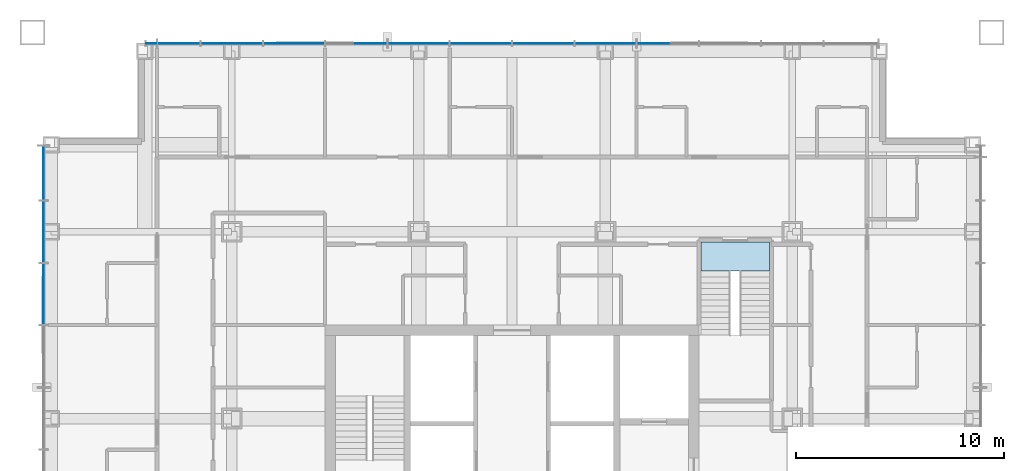
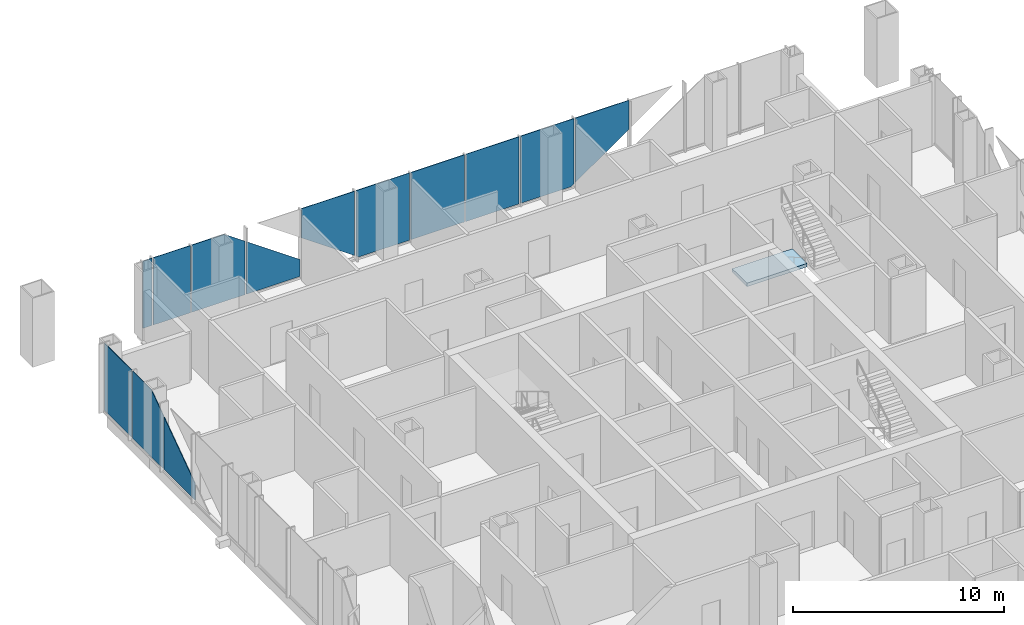
# One storey, part 9 of 16: 13 plates, 1 slab, 3 elements without a shape of their own.
"""IFC4 building model written with IfcOpenShell, lengths in metres."""

from ifc_helpers import new_model, si_unit, direction, frame, origin, origin_2d, place, context, subcontext, project, spatial, polyline, rectangle, outline, extrude, material, layer, layer_set, type_object, element, aggregate, save


model = new_model("IFC4")

# Units and contexts
model_context = context("Model", 3, precision=1e-05, world=origin(), true_north=direction((0.0, 1.0)))
body_context = subcontext(model_context, "Body", "Model", "MODEL_VIEW")
ifc_project = project(units=[si_unit("LENGTHUNIT", "METRE"), si_unit("AREAUNIT", "SQUARE_METRE"), si_unit("VOLUMEUNIT", "CUBIC_METRE"), si_unit("PLANEANGLEUNIT", "RADIAN"), si_unit("MASSUNIT", "GRAM", prefix="KILO")], contexts=[model_context])

# Site, building, storey
site_placement = place(None, origin())
site = spatial("IfcSite", under=ifc_project, at=site_placement, CompositionType="ELEMENT")
building_placement = place(site_placement, origin())
building = spatial("IfcBuilding", under=site, at=building_placement, Name="Malebo Sky Hospital", CompositionType="ELEMENT")
storey_placement = place(building_placement, frame((0.0, 0.0, 197.0)))
storey = spatial("IfcBuildingStorey", under=building, at=storey_placement, Name="L47", CompositionType="ELEMENT", Elevation=197.0)

# Stair, slab
ifc_material_1 = material(Name="Concrete C40/50", Category="concrete")
stair_type = type_object("IfcStairType", Name="HALF-TURN STAIR 1400 R167", PredefinedType="HALF_TURN_STAIR", material=ifc_material_1)
stair_placement = place(storey_placement, origin())
stair = element("IfcStair", 1, at=stair_placement, inside=storey, type_object=stair_type, Name="Stair S3 L47 type ST1B", PredefinedType="HALF_TURN_STAIR")
ifc_layer_1 = layer(ifc_material_1, 0.199951171875)
ifc_layer_set_1 = layer_set([ifc_layer_1], Name="STAIR LANDING 200")
slab_type = type_object("IfcSlabType", Name="STAIR LANDING 200", PredefinedType="LANDING", material=ifc_layer_set_1)
slab_placement = place(storey_placement, frame((0.0, 0.0, -0.199951171875)))
slab = element("IfcSlab", 2, at=slab_placement, type_object=slab_type, Name="S3 landing 1", PredefinedType="LANDING", context=body_context, shape_type="SweptSolid", body=[
    extrude(outline(polyline([(69.10009765625, 73.60009765625), (72.39990234375, 73.60009765625), (72.39990234375, 75.0), (69.10009765625, 75.0), (69.10009765625, 73.60009765625)])), origin(), (0.0, 0.0, 1.0), 0.199951171875),
])
aggregate(stair, [slab])

# Curtain wall, plates
ifc_material_2 = material(Name="Anodised aluminium, natural silver", Category="aluminium")
ifc_layer_2 = layer(ifc_material_2, 0.25)
ifc_layer_set_2 = layer_set([ifc_layer_2], Name="WARD CURTAIN WALL NORTH AND SOUTH")
curtain_wall_type_1 = type_object("IfcCurtainWallType", Name="WARD CURTAIN WALL NORTH AND SOUTH", PredefinedType="NOTDEFINED", material=ifc_layer_set_2)
curtain_wall_1_placement = place(storey_placement, origin())
curtain_wall_1 = element("IfcCurtainWall", 3, at=curtain_wall_1_placement, inside=storey, type_object=curtain_wall_type_1, Name="NS curtain wall N", PredefinedType="NOTDEFINED")
ifc_material_3 = material(Name="Clear low-iron double glazing", Category="glass")
ifc_layer_3 = layer(ifc_material_3, 0.031982421875)
ifc_layer_set_3 = layer_set([ifc_layer_3], Name="VISION PANEL CLEAR 32")
plate_type = type_object("IfcPlateType", Name="VISION PANEL CLEAR 32", PredefinedType="CURTAIN_PANEL", material=ifc_layer_set_3)
plate_1_placement = place(storey_placement, frame((42.61865234375, 84.574951171875, 0.10009765625), z_axis=(0.0, 0.0, 1.0), x_axis=(1.0, 0.0, 0.0)))
plate_1 = element("IfcPlate", 4, at=plate_1_placement, type_object=plate_type, Name="Panel 1", PredefinedType="CURTAIN_PANEL", context=body_context, shape_type="SweptSolid", body=[
    extrude(rectangle(XDim=0.487548828125, YDim=0.031982421875, at=origin_2d()), origin(), (0.0, 0.0, 1.0), 3.889892578125),
])
plate_2_placement = place(storey_placement, frame((43.949951171875, 84.574951171875, 0.10009765625), z_axis=(0.0, 0.0, 1.0), x_axis=(1.0, 0.0, 0.0)))
plate_2 = element("IfcPlate", 5, at=plate_2_placement, type_object=plate_type, Name="Panel 2", PredefinedType="CURTAIN_PANEL", context=body_context, shape_type="SweptSolid", body=[
    extrude(rectangle(XDim=2.02490234375, YDim=0.031982421875, at=origin_2d()), origin(), (0.0, 0.0, 1.0), 3.889892578125),
])
plate_3_placement = place(storey_placement, frame((46.5, 84.574951171875, 0.10009765625), z_axis=(0.0, 0.0, 1.0), x_axis=(1.0, 0.0, 0.0)))
plate_3 = element("IfcPlate", 6, at=plate_3_placement, type_object=plate_type, Name="Panel 3", PredefinedType="CURTAIN_PANEL", context=body_context, shape_type="SweptSolid", body=[
    extrude(outline(polyline([(-1.46240234375, 0.0), (1.46240234375, 0.0), (1.46240234375, 3.087890625), (0.3203125, 3.889892578125), (-1.46240234375, 3.889892578125), (-1.46240234375, 0.0)])), frame((0.0, 0.01611328125, 0.0), z_axis=(0.0, -1.0, 0.0), x_axis=(1.0, 0.0, 0.0)), (0.0, 0.0, 1.0), 0.031982421875),
])
plate_4_placement = place(storey_placement, frame((49.5, 84.574951171875, 0.099853515625), z_axis=(0.0, 0.0, 1.0), x_axis=(1.0, 0.0, 0.0)))
plate_4 = element("IfcPlate", 7, at=plate_4_placement, type_object=plate_type, Name="Panel 4", PredefinedType="CURTAIN_PANEL", context=body_context, shape_type="SweptSolid", body=[
    extrude(outline(polyline([(-1.46240234375, 0.0), (1.46240234375, 0.0), (1.46240234375, 0.980712890625), (-1.46240234375, 3.03515625), (-1.46240234375, 0.0)])), frame((0.0, 0.01611328125, 0.0), z_axis=(0.0, -1.0, 0.0), x_axis=(1.0, 0.0, 0.0)), (0.0, 0.0, 1.0), 0.031982421875),
])
plate_5_placement = place(storey_placement, frame((52.5, 84.574951171875, 0.2578125), z_axis=(0.0, 0.0, 1.0), x_axis=(1.0, 0.0, 0.0)))
plate_5 = element("IfcPlate", 8, at=plate_5_placement, type_object=plate_type, Name="Panel 5", PredefinedType="CURTAIN_PANEL", context=body_context, shape_type="SweptSolid", body=[
    extrude(outline(polyline([(1.46240234375, 0.0), (1.46240234375, 3.732177734375), (-1.46240234375, 3.732177734375), (-1.46240234375, 2.054443359375), (1.46240234375, 0.0)])), frame((0.0, 0.01611328125, 0.0), z_axis=(0.0, -1.0, 0.0), x_axis=(1.0, 0.0, 0.0)), (0.0, 0.0, 1.0), 0.031982421875),
])
plate_6_placement = place(storey_placement, frame((55.5, 84.574951171875, 0.10009765625), z_axis=(0.0, 0.0, 1.0), x_axis=(1.0, 0.0, 0.0)))
plate_6 = element("IfcPlate", 9, at=plate_6_placement, type_object=plate_type, Name="Panel 6", PredefinedType="CURTAIN_PANEL", context=body_context, shape_type="SweptSolid", body=[
    extrude(outline(polyline([(-1.312744140625, 0.0), (1.46240234375, 0.0), (1.46240234375, 3.889892578125), (-1.46240234375, 3.889892578125), (-1.46240234375, 0.10498046875), (-1.312744140625, 0.0)])), frame((0.0, 0.01611328125, 0.0), z_axis=(0.0, -1.0, 0.0), x_axis=(1.0, 0.0, 0.0)), (0.0, 0.0, 1.0), 0.031982421875),
])
plate_7_placement = place(storey_placement, frame((58.5, 84.574951171875, 0.10009765625), z_axis=(0.0, 0.0, 1.0), x_axis=(1.0, 0.0, 0.0)))
plate_7 = element("IfcPlate", 10, at=plate_7_placement, type_object=plate_type, Name="Panel 7", PredefinedType="CURTAIN_PANEL", context=body_context, shape_type="SweptSolid", body=[
    extrude(rectangle(XDim=2.925048828125, YDim=0.031982421875, at=origin_2d()), origin(), (0.0, 0.0, 1.0), 3.889892578125),
])
plate_8_placement = place(storey_placement, frame((61.5, 84.574951171875, 0.10009765625), z_axis=(0.0, 0.0, 1.0), x_axis=(1.0, 0.0, 0.0)))
plate_8 = element("IfcPlate", 11, at=plate_8_placement, type_object=plate_type, Name="Panel 8", PredefinedType="CURTAIN_PANEL", context=body_context, shape_type="SweptSolid", body=[
    extrude(rectangle(XDim=2.925048828125, YDim=0.031982421875, at=origin_2d()), origin(), (0.0, 0.0, 1.0), 3.889892578125),
])
plate_9_placement = place(storey_placement, frame((64.5, 84.574951171875, 0.10009765625), z_axis=(0.0, 0.0, 1.0), x_axis=(1.0, 0.0, 0.0)))
plate_9 = element("IfcPlate", 12, at=plate_9_placement, type_object=plate_type, Name="Panel 9", PredefinedType="CURTAIN_PANEL", context=body_context, shape_type="SweptSolid", body=[
    extrude(outline(polyline([(-1.46240234375, 0.0), (1.312744140625, 0.0), (1.46240234375, 0.10498046875), (1.46240234375, 3.889892578125), (-1.46240234375, 3.889892578125), (-1.46240234375, 0.0)])), frame((0.0, 0.01611328125, 0.0), z_axis=(0.0, -1.0, 0.0), x_axis=(1.0, 0.0, 0.0)), (0.0, 0.0, 1.0), 0.031982421875),
])
plate_10_placement = place(storey_placement, frame((67.5, 84.574951171875, 0.2578125), z_axis=(0.0, 0.0, 1.0), x_axis=(1.0, 0.0, 0.0)))
plate_10 = element("IfcPlate", 13, at=plate_10_placement, type_object=plate_type, Name="Panel 10", PredefinedType="CURTAIN_PANEL", context=body_context, shape_type="SweptSolid", body=[
    extrude(outline(polyline([(-1.46240234375, 0.0), (1.46240234375, 2.054443359375), (1.46240234375, 3.732177734375), (-1.46240234375, 3.732177734375), (-1.46240234375, 0.0)])), frame((0.0, 0.01611328125, 0.0), z_axis=(0.0, -1.0, 0.0), x_axis=(1.0, 0.0, 0.0)), (0.0, 0.0, 1.0), 0.031982421875),
])
aggregate(curtain_wall_1, [plate_1, plate_2, plate_3, plate_4, plate_5, plate_6, plate_7, plate_8, plate_9, plate_10])

ifc_layer_4 = layer(ifc_material_2, 0.25)
ifc_layer_set_4 = layer_set([ifc_layer_4], Name="WARD CURTAIN WALL EAST AND WEST")
curtain_wall_type_2 = type_object("IfcCurtainWallType", Name="WARD CURTAIN WALL EAST AND WEST", PredefinedType="NOTDEFINED", material=ifc_layer_set_4)
curtain_wall_2_placement = place(storey_placement, origin())
curtain_wall_2 = element("IfcCurtainWall", 14, at=curtain_wall_2_placement, inside=storey, type_object=curtain_wall_type_2, Name="EW curtain wall W", PredefinedType="NOTDEFINED")
plate_11_placement = place(storey_placement, frame((37.425048828125, 72.5, 0.099853515625), z_axis=(0.0, 0.0, 1.0), x_axis=(0.0, 1.0, 0.0)))
plate_11 = element("IfcPlate", 15, at=plate_11_placement, type_object=plate_type, Name="Panel 11", PredefinedType="CURTAIN_PANEL", context=body_context, shape_type="SweptSolid", body=[
    extrude(outline(polyline([(-1.46240234375, 0.0), (1.46240234375, 0.0), (1.46240234375, 3.03515625), (-1.46240234375, 0.980712890625), (-1.46240234375, 0.0)])), frame((0.0, 0.01611328125, 0.0), z_axis=(0.0, -1.0, 0.0), x_axis=(1.0, 0.0, 0.0)), (0.0, 0.0, 1.0), 0.031982421875),
])
plate_12_placement = place(storey_placement, frame((37.425048828125, 75.5, 0.10009765625), z_axis=(0.0, 0.0, 1.0), x_axis=(0.0, 1.0, 0.0)))
plate_12 = element("IfcPlate", 16, at=plate_12_placement, type_object=plate_type, Name="Panel 12", PredefinedType="CURTAIN_PANEL", context=body_context, shape_type="SweptSolid", body=[
    extrude(outline(polyline([(-1.46240234375, 0.0), (1.46240234375, 0.0), (1.46240234375, 3.889892578125), (-0.3203125, 3.889892578125), (-1.46240234375, 3.087890625), (-1.46240234375, 0.0)])), frame((0.0, 0.01611328125, 0.0), z_axis=(0.0, -1.0, 0.0), x_axis=(1.0, 0.0, 0.0)), (0.0, 0.0, 1.0), 0.031982421875),
])
plate_13_placement = place(storey_placement, frame((37.425048828125, 78.331298828125, 0.10009765625), z_axis=(0.0, 0.0, 1.0), x_axis=(0.0, 1.0, 0.0)))
plate_13 = element("IfcPlate", 17, at=plate_13_placement, type_object=plate_type, Name="Panel 13", PredefinedType="CURTAIN_PANEL", context=body_context, shape_type="SweptSolid", body=[
    extrude(rectangle(XDim=2.58740234375, YDim=0.031982421875, at=origin_2d()), origin(), (0.0, 0.0, 1.0), 3.889892578125),
])
aggregate(curtain_wall_2, [plate_11, plate_12, plate_13])

save(model, "model.ifc")
